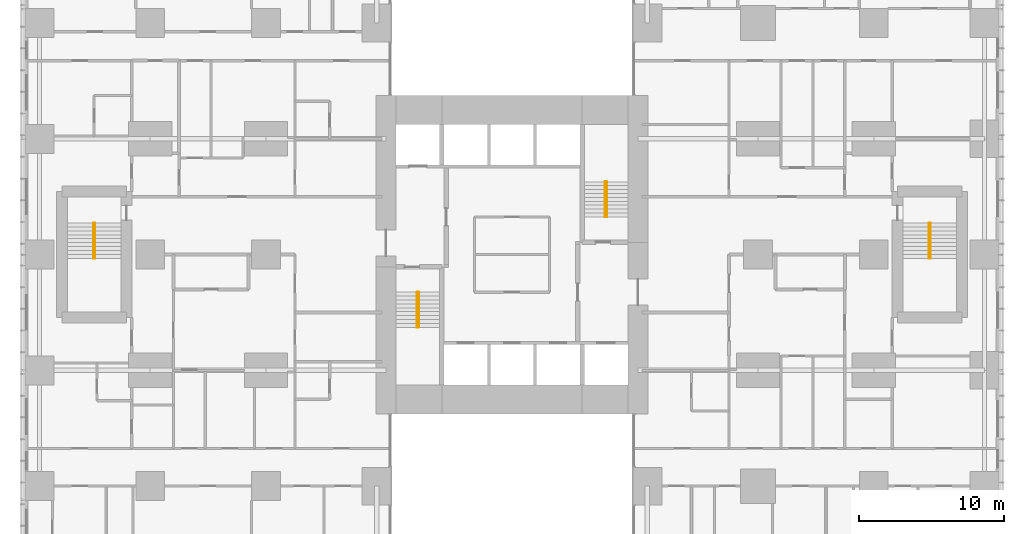
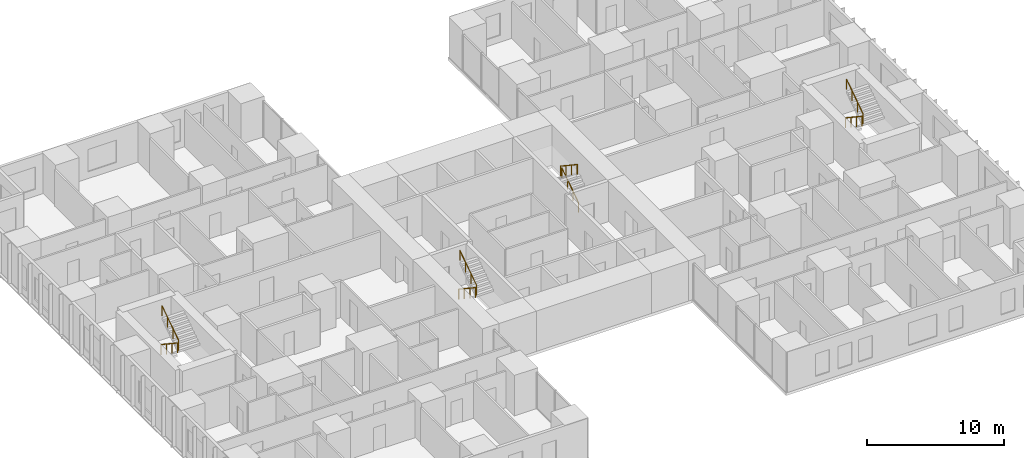
# One storey, part 20 of 20: 8 railings.
"""IFC4 building model written with IfcOpenShell, lengths in metres."""

from ifc_helpers import new_model, si_unit, direction, frame, origin, origin_2d, place, context, subcontext, project, spatial, circle, extrude, material, type_object, element, save


model = new_model("IFC4")

# Units and contexts
model_context = context("Model", 3, precision=1e-05, world=origin(), true_north=direction((0.0, 1.0)))
body_context = subcontext(model_context, "Body", "Model", "MODEL_VIEW")
ifc_project = project(units=[si_unit("LENGTHUNIT", "METRE"), si_unit("AREAUNIT", "SQUARE_METRE"), si_unit("VOLUMEUNIT", "CUBIC_METRE"), si_unit("PLANEANGLEUNIT", "RADIAN"), si_unit("MASSUNIT", "GRAM", prefix="KILO")], contexts=[model_context])

# Site, building, storey
site_placement = place(None, origin())
site = spatial("IfcSite", under=ifc_project, at=site_placement, CompositionType="ELEMENT")
building_placement = place(site_placement, origin())
building = spatial("IfcBuilding", under=site, at=building_placement, Name="Cleftline Residences", CompositionType="ELEMENT")
storey_placement = place(building_placement, frame((0.0, 0.0, 87.199951171875)))
storey = spatial("IfcBuildingStorey", under=building, at=storey_placement, Name="L22", CompositionType="ELEMENT", Elevation=87.199951171875)

# Railings
ifc_material = material(Name="Stainless steel", Category="steel")
railing_type = type_object("IfcRailingType", Name="HANDRAIL 900", PredefinedType="HANDRAIL", material=ifc_material)
railing_1_placement = place(storey_placement, frame((26.449951171875, 21.39990234375, 0.179931640625)))
element("IfcRailing", 1, at=railing_1_placement, inside=storey, type_object=railing_type, Name="Stair handrail", PredefinedType="HANDRAIL", context=body_context, shape_type="SweptSolid", body=[
    extrude(circle(Radius=0.02392578125, at=origin_2d()), frame((0.0, 0.0, 0.8759765625), z_axis=(0.0, -0.832024571796, 0.554738778101), x_axis=(1.0, 0.0, 0.0)), (0.0, 0.0, 1.0), 2.92041015625),
    extrude(circle(Radius=0.02099609375, at=origin_2d()), origin(), (0.0, 0.0, 1.0), 0.851806640625),
    extrude(circle(Radius=0.02099609375, at=origin_2d()), frame((0.0, -0.81005859375, 0.5400390625)), (0.0, 0.0, 1.0), 0.851806640625),
    extrude(circle(Radius=0.02099609375, at=origin_2d()), frame((0.0, -1.619873046875, 1.080078125)), (0.0, 0.0, 1.0), 0.851806640625),
    extrude(circle(Radius=0.02099609375, at=origin_2d()), frame((0.0, -2.429931640625, 1.6201171875)), (0.0, 0.0, 1.0), 0.851806640625),
])
for number, where, name in (
    (2, (26.550048828125, 18.969970703125, 1.97998046875), "Stair handrail"),
    (3, (39.550048828125, 26.60009765625, 0.179931640625), "Stair handrail"),
):
    element("IfcRailing", number, at=place(storey_placement, frame(where)), inside=storey, type_object=railing_type, Name=name, PredefinedType="HANDRAIL", context=body_context, shape_type="SweptSolid", body=[
        extrude(circle(Radius=0.02392578125, at=origin_2d()), frame((0.0, 0.0, 0.8759765625), z_axis=(0.0, 0.832024571796, 0.554738778101), x_axis=(-1.0, 0.0, 0.0)), (0.0, 0.0, 1.0), 2.92041015625),
        extrude(circle(Radius=0.02099609375, at=origin_2d()), origin(), (0.0, 0.0, 1.0), 0.851806640625),
        extrude(circle(Radius=0.02099609375, at=origin_2d()), frame((0.0, 0.81005859375, 0.5400390625)), (0.0, 0.0, 1.0), 0.851806640625),
        extrude(circle(Radius=0.02099609375, at=origin_2d()), frame((0.0, 1.619873046875, 1.080078125)), (0.0, 0.0, 1.0), 0.851806640625),
        extrude(circle(Radius=0.02099609375, at=origin_2d()), frame((0.0, 2.429931640625, 1.6201171875)), (0.0, 0.0, 1.0), 0.851806640625),
    ])
for number, where, name in (
    (4, (39.449951171875, 29.030029296875, 1.97998046875), "Stair handrail"),
    (5, (61.824951171875, 26.175048828125, 0.179931640625), "Stair handrail"),
):
    element("IfcRailing", number, at=place(storey_placement, frame(where)), inside=storey, type_object=railing_type, Name=name, PredefinedType="HANDRAIL", context=body_context, shape_type="SweptSolid", body=[
        extrude(circle(Radius=0.02392578125, at=origin_2d()), frame((0.0, 0.0, 0.8759765625), z_axis=(0.0, -0.832024571796, 0.554738778101), x_axis=(1.0, 0.0, 0.0)), (0.0, 0.0, 1.0), 2.92041015625),
        extrude(circle(Radius=0.02099609375, at=origin_2d()), origin(), (0.0, 0.0, 1.0), 0.851806640625),
        extrude(circle(Radius=0.02099609375, at=origin_2d()), frame((0.0, -0.81005859375, 0.5400390625)), (0.0, 0.0, 1.0), 0.851806640625),
        extrude(circle(Radius=0.02099609375, at=origin_2d()), frame((0.0, -1.619873046875, 1.080078125)), (0.0, 0.0, 1.0), 0.851806640625),
        extrude(circle(Radius=0.02099609375, at=origin_2d()), frame((0.0, -2.429931640625, 1.6201171875)), (0.0, 0.0, 1.0), 0.851806640625),
    ])
railing_2_placement = place(storey_placement, frame((61.925048828125, 23.7451171875, 1.97998046875)))
element("IfcRailing", 6, at=railing_2_placement, inside=storey, type_object=railing_type, Name="Stair handrail", PredefinedType="HANDRAIL", context=body_context, shape_type="SweptSolid", body=[
    extrude(circle(Radius=0.02392578125, at=origin_2d()), frame((0.0, 0.0, 0.8759765625), z_axis=(0.0, 0.832024571796, 0.554738778101), x_axis=(-1.0, 0.0, 0.0)), (0.0, 0.0, 1.0), 2.92041015625),
    extrude(circle(Radius=0.02099609375, at=origin_2d()), origin(), (0.0, 0.0, 1.0), 0.851806640625),
    extrude(circle(Radius=0.02099609375, at=origin_2d()), frame((0.0, 0.81005859375, 0.5400390625)), (0.0, 0.0, 1.0), 0.851806640625),
    extrude(circle(Radius=0.02099609375, at=origin_2d()), frame((0.0, 1.619873046875, 1.080078125)), (0.0, 0.0, 1.0), 0.851806640625),
    extrude(circle(Radius=0.02099609375, at=origin_2d()), frame((0.0, 2.429931640625, 1.6201171875)), (0.0, 0.0, 1.0), 0.851806640625),
])
railing_3_placement = place(storey_placement, frame((4.074951171875, 26.175048828125, 0.179931640625)))
element("IfcRailing", 7, at=railing_3_placement, inside=storey, type_object=railing_type, Name="Stair handrail", PredefinedType="HANDRAIL", context=body_context, shape_type="SweptSolid", body=[
    extrude(circle(Radius=0.02392578125, at=origin_2d()), frame((0.0, 0.0, 0.8759765625), z_axis=(0.0, -0.832024571796, 0.554738778101), x_axis=(1.0, 0.0, 0.0)), (0.0, 0.0, 1.0), 2.92041015625),
    extrude(circle(Radius=0.02099609375, at=origin_2d()), origin(), (0.0, 0.0, 1.0), 0.851806640625),
    extrude(circle(Radius=0.02099609375, at=origin_2d()), frame((0.0, -0.81005859375, 0.5400390625)), (0.0, 0.0, 1.0), 0.851806640625),
    extrude(circle(Radius=0.02099609375, at=origin_2d()), frame((0.0, -1.619873046875, 1.080078125)), (0.0, 0.0, 1.0), 0.851806640625),
    extrude(circle(Radius=0.02099609375, at=origin_2d()), frame((0.0, -2.429931640625, 1.6201171875)), (0.0, 0.0, 1.0), 0.851806640625),
])
railing_4_placement = place(storey_placement, frame((4.175048828125, 23.7451171875, 1.97998046875)))
element("IfcRailing", 8, at=railing_4_placement, inside=storey, type_object=railing_type, Name="Stair handrail", PredefinedType="HANDRAIL", context=body_context, shape_type="SweptSolid", body=[
    extrude(circle(Radius=0.02392578125, at=origin_2d()), frame((0.0, 0.0, 0.8759765625), z_axis=(0.0, 0.832024571796, 0.554738778101), x_axis=(-1.0, 0.0, 0.0)), (0.0, 0.0, 1.0), 2.92041015625),
    extrude(circle(Radius=0.02099609375, at=origin_2d()), origin(), (0.0, 0.0, 1.0), 0.851806640625),
    extrude(circle(Radius=0.02099609375, at=origin_2d()), frame((0.0, 0.81005859375, 0.5400390625)), (0.0, 0.0, 1.0), 0.851806640625),
    extrude(circle(Radius=0.02099609375, at=origin_2d()), frame((0.0, 1.619873046875, 1.080078125)), (0.0, 0.0, 1.0), 0.851806640625),
    extrude(circle(Radius=0.02099609375, at=origin_2d()), frame((0.0, 2.429931640625, 1.6201171875)), (0.0, 0.0, 1.0), 0.851806640625),
])

save(model, "model.ifc")
